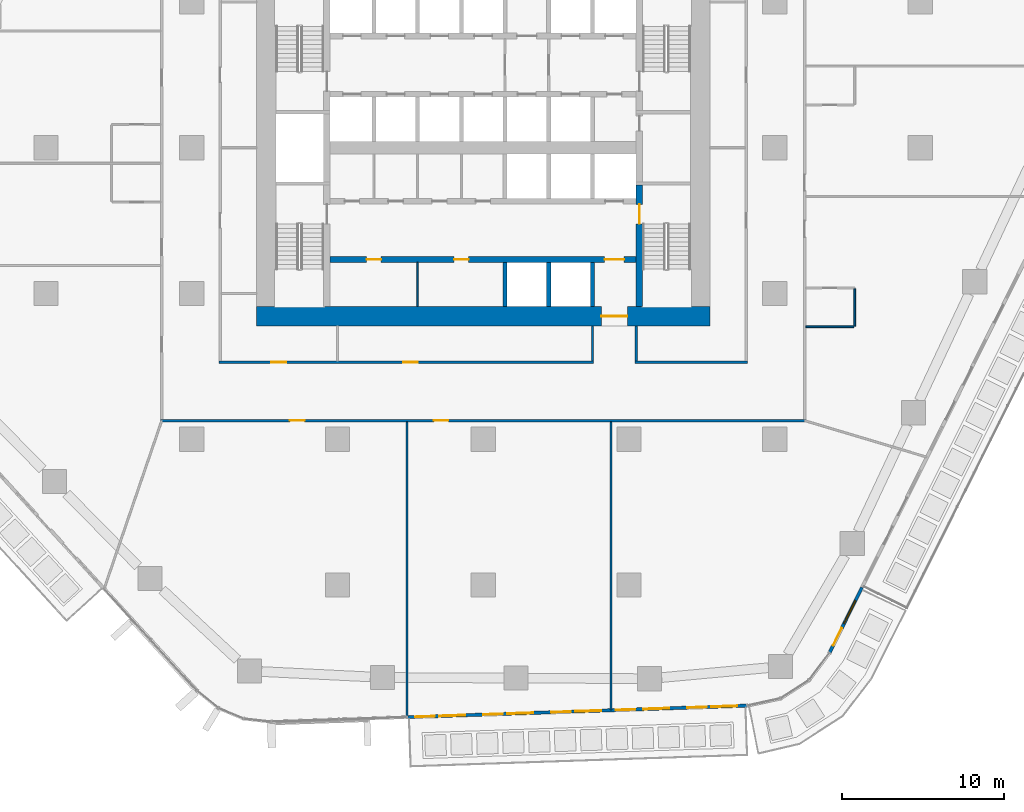
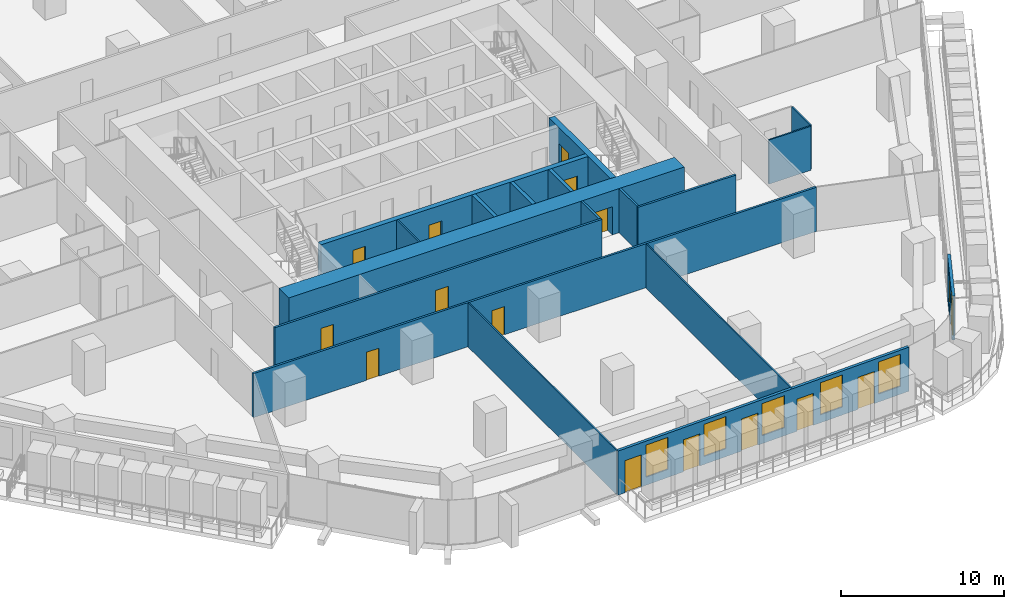
# One storey, part 13 of 26: 18 walls, 15 doors, 6 windows, 21 openings.
"""IFC4 building model written with IfcOpenShell, lengths in metres."""

from ifc_helpers import new_model, si_unit, direction, frame, frame_2d, origin, place, context, subcontext, project, spatial, rectangle, extrude, material, layer, layer_set, type_object, element, fill, save


model = new_model("IFC4")

# Units and contexts
model_context = context("Model", 3, precision=1e-05, world=origin(), true_north=direction((0.0, 1.0)))
body_context = subcontext(model_context, "Body", "Model", "MODEL_VIEW")
ifc_project = project(units=[si_unit("LENGTHUNIT", "METRE"), si_unit("AREAUNIT", "SQUARE_METRE"), si_unit("VOLUMEUNIT", "CUBIC_METRE"), si_unit("PLANEANGLEUNIT", "RADIAN"), si_unit("MASSUNIT", "GRAM", prefix="KILO")], contexts=[model_context])

# Site, building, storey
site_placement = place(None, origin())
site = spatial("IfcSite", under=ifc_project, at=site_placement, CompositionType="ELEMENT")
building_placement = place(site_placement, origin())
building = spatial("IfcBuilding", under=site, at=building_placement, Name="Dongbaek Canopy Tower", CompositionType="ELEMENT")
storey_placement = place(building_placement, frame((0.0, 0.0, 69.89990234375)))
storey = spatial("IfcBuildingStorey", under=building, at=storey_placement, Name="L13", CompositionType="ELEMENT", Elevation=69.89990234375)

# Wall, openings, doors
ifc_material_1 = material(Name="Concrete C60/75", Category="concrete")
ifc_layer_1 = layer(ifc_material_1, 0.35009765625)
ifc_layer_set_1 = layer_set([ifc_layer_1], Name="Core lobby wall 350 Concrete C60/75")
wall_type_1 = type_object("IfcWallType", Name="Core lobby wall 350 Concrete C60/75", PredefinedType="SHEAR", material=ifc_layer_set_1)
wall_1_placement = place(storey_placement, frame((9.449951171875, -6.89990234375, 0.0), z_axis=(0.0, 0.0, 1.0), x_axis=(-1.0, 0.0, 0.0)))
wall_1 = element("IfcWall", 1, at=wall_1_placement, inside=storey, type_object=wall_type_1, Name="Core wall", PredefinedType="SHEAR", context=body_context, shape_type="SweptSolid", body=[
    extrude(rectangle(XDim=18.89990234375, YDim=0.35009765625, at=frame_2d((9.449951171875, 0.0))), origin(), (0.0, 0.0, 1.0), 3.300048828125),
])
opening_1_placement = place(wall_1_placement, frame((0.75, 0.0, 0.0)))
opening_1 = element("IfcOpeningElement", 2, at=opening_1_placement, cuts=wall_1, Name="Opening L13-D045", PredefinedType="OPENING", context=body_context, shape_type="SweptSolid", body=[
    extrude(rectangle(XDim=1.199951171875, YDim=2.10009765625, at=frame_2d((0.60009765625, 1.050048828125))), frame((0.0, 0.18505859375, 0.0), z_axis=(0.0, -1.0, 0.0), x_axis=(1.0, 0.0, 0.0)), (0.0, 0.0, 1.0), 0.3701171875),
])
opening_2_placement = place(wall_1_placement, frame((15.75, 0.0, 0.0)))
opening_2 = element("IfcOpeningElement", 3, at=opening_2_placement, cuts=wall_1, Name="Opening L13-D050", PredefinedType="OPENING", context=body_context, shape_type="SweptSolid", body=[
    extrude(rectangle(XDim=0.89990234375, YDim=2.10009765625, at=frame_2d((0.449951171875, 1.050048828125))), frame((0.0, 0.18505859375, 0.0), z_axis=(0.0, -1.0, 0.0), x_axis=(1.0, 0.0, 0.0)), (0.0, 0.0, 1.0), 0.3701171875),
])
opening_3_placement = place(wall_1_placement, frame((10.35009765625, 0.0, 0.0)))
opening_3 = element("IfcOpeningElement", 4, at=opening_3_placement, cuts=wall_1, Name="Opening L13-D051", PredefinedType="OPENING", context=body_context, shape_type="SweptSolid", body=[
    extrude(rectangle(XDim=0.89990234375, YDim=2.10009765625, at=frame_2d((0.449951171875, 1.050048828125))), frame((0.0, 0.18505859375, 0.0), z_axis=(0.0, -1.0, 0.0), x_axis=(1.0, 0.0, 0.0)), (0.0, 0.0, 1.0), 0.3701171875),
])
ifc_material_2 = material(Name="Steel", Category="steel")
door_type_1 = type_object("IfcDoorType", Name="Core room door 900 x 2100", OperationType="SINGLE_SWING_LEFT", PredefinedType="DOOR", material=ifc_material_2)
door_1_placement = place(opening_2_placement, origin())
door_1 = element("IfcDoor", 5, at=door_1_placement, inside=storey, type_object=door_type_1, Name="Door L13-D050", OperationType="SINGLE_SWING_RIGHT", OverallHeight=2.10009765625, OverallWidth=0.89990234375, PredefinedType="DOOR", context=body_context, shape_type="SweptSolid", body=[
    extrude(rectangle(XDim=0.89990234375, YDim=2.10009765625, at=frame_2d((0.449951171875, 1.050048828125))), frame((0.0, 0.02490234375, 0.0), z_axis=(0.0, -1.0, 0.0), x_axis=(1.0, 0.0, 0.0)), (0.0, 0.0, 1.0), 0.050048828125),
])
fill(opening_2, door_1)
door_2_placement = place(opening_3_placement, origin())
door_2 = element("IfcDoor", 6, at=door_2_placement, inside=storey, type_object=door_type_1, Name="Door L13-D051", OperationType="SINGLE_SWING_LEFT", OverallHeight=2.10009765625, OverallWidth=0.89990234375, PredefinedType="DOOR", context=body_context, shape_type="SweptSolid", body=[
    extrude(rectangle(XDim=0.89990234375, YDim=2.10009765625, at=frame_2d((0.449951171875, 1.050048828125))), frame((0.0, 0.02490234375, 0.0), z_axis=(0.0, -1.0, 0.0), x_axis=(1.0, 0.0, 0.0)), (0.0, 0.0, 1.0), 0.050048828125),
])
fill(opening_3, door_2)
ifc_material_3 = material(Name="Steel", Category="steel")
door_type_2 = type_object("IfcDoorType", Name="Fire lobby door 1200 x 2100", OperationType="SINGLE_SWING_LEFT", PredefinedType="DOOR", material=ifc_material_3)
door_3_placement = place(opening_1_placement, origin())
door_3 = element("IfcDoor", 7, at=door_3_placement, inside=storey, type_object=door_type_2, Name="Door L13-D045", OperationType="SINGLE_SWING_LEFT", OverallHeight=2.10009765625, OverallWidth=1.199951171875, PredefinedType="DOOR", context=body_context, shape_type="SweptSolid", body=[
    extrude(rectangle(XDim=1.199951171875, YDim=2.10009765625, at=frame_2d((0.60009765625, 1.050048828125))), frame((0.0, 0.02490234375, 0.0), z_axis=(0.0, -1.0, 0.0), x_axis=(1.0, 0.0, 0.0)), (0.0, 0.0, 1.0), 0.050048828125),
])
fill(opening_1, door_3)

# Wall, opening, door
ifc_material_4 = material(Name="Concrete C60/75", Category="concrete")
ifc_layer_2 = layer(ifc_material_4, 1.199951171875)
ifc_layer_set_2 = layer_set([ifc_layer_2], Name="Core outer wall 1200 Concrete C60/75")
wall_type_2 = type_object("IfcWallType", Name="Core outer wall 1200 Concrete C60/75", PredefinedType="SHEAR", material=ifc_layer_set_2)
wall_2_placement = place(storey_placement, frame((14.0, -10.39990234375, 0.0), z_axis=(0.0, 0.0, 1.0), x_axis=(-1.0, 0.0, 0.0)))
wall_2 = element("IfcWall", 8, at=wall_2_placement, inside=storey, type_object=wall_type_2, Name="Core wall", PredefinedType="SHEAR", context=body_context, shape_type="SweptSolid", body=[
    extrude(rectangle(XDim=28.0, YDim=1.199951171875, at=frame_2d((14.0, 0.0))), origin(), (0.0, 0.0, 1.0), 3.300048828125),
])
opening_4_placement = place(wall_2_placement, frame((5.10009765625, 0.0, 0.0)))
opening_4 = element("IfcOpeningElement", 9, at=opening_4_placement, cuts=wall_2, Name="Opening L13-D044", PredefinedType="OPENING", context=body_context, shape_type="SweptSolid", body=[
    extrude(rectangle(XDim=1.60009765625, YDim=2.10009765625, at=frame_2d((0.800048828125, 1.050048828125))), frame((0.0, 0.60986328125, 0.0), z_axis=(0.0, -1.0, 0.0), x_axis=(1.0, 0.0, 0.0)), (0.0, 0.0, 1.0), 1.219970703125),
])
ifc_material_5 = material(Name="Steel", Category="steel")
door_type_3 = type_object("IfcDoorType", Name="Core exit door 1600 x 2100", OperationType="DOUBLE_DOOR_SINGLE_SWING", PredefinedType="DOOR", material=ifc_material_5)
door_4_placement = place(opening_4_placement, origin())
door_4 = element("IfcDoor", 10, at=door_4_placement, inside=storey, type_object=door_type_3, Name="Core exit door", OperationType="DOUBLE_DOOR_SINGLE_SWING", OverallHeight=2.10009765625, OverallWidth=1.60009765625, PredefinedType="DOOR", context=body_context, shape_type="SweptSolid", body=[
    extrude(rectangle(XDim=1.60009765625, YDim=2.10009765625, at=frame_2d((0.800048828125, 1.050048828125))), frame((0.0, 0.02490234375, 0.0), z_axis=(0.0, -1.0, 0.0), x_axis=(1.0, 0.0, 0.0)), (0.0, 0.0, 1.0), 0.050048828125),
])
fill(opening_4, door_4)

# Wall, openings, doors
ifc_material_6 = material(Name="Gypsum board partition, steel stud, 2 x 15 mm fire board", Category="steel")
ifc_layer_3 = layer(ifc_material_6, 0.14990234375)
ifc_layer_set_3 = layer_set([ifc_layer_3], Name="Fire-rated partition 150 gypsum board")
wall_type_3 = type_object("IfcWallType", Name="Fire-rated partition 150 gypsum board", PredefinedType="PARTITIONING", material=ifc_layer_set_3)
wall_3_placement = place(storey_placement, frame((19.925048828125, -16.85009765625, 0.0), z_axis=(0.0, 0.0, 1.0), x_axis=(-1.0, 0.0, 0.0)))
wall_3 = element("IfcWall", 11, at=wall_3_placement, inside=storey, type_object=wall_type_3, Name="Corridor partition", PredefinedType="PARTITIONING", context=body_context, shape_type="SweptSolid", body=[
    extrude(rectangle(XDim=39.85009765625, YDim=0.14990234375, at=frame_2d((19.925048828125, 0.0))), origin(), (0.0, 0.0, 1.0), 3.300048828125),
])
opening_5_placement = place(wall_3_placement, frame((30.959228515625, 0.0, 0.0)))
opening_5 = element("IfcOpeningElement", 12, at=opening_5_placement, cuts=wall_3, Name="Opening L13-D004", PredefinedType="OPENING", context=body_context, shape_type="SweptSolid", body=[
    extrude(rectangle(XDim=0.89990234375, YDim=2.10009765625, at=frame_2d((0.449951171875, 1.050048828125))), frame((0.0, 0.0849609375, 0.0), z_axis=(0.0, -1.0, 0.0), x_axis=(1.0, 0.0, 0.0)), (0.0, 0.0, 1.0), 0.169921875),
])
opening_6_placement = place(wall_3_placement, frame((22.077392578125, 0.0, 0.0)))
opening_6 = element("IfcOpeningElement", 13, at=opening_6_placement, cuts=wall_3, Name="Opening L13-D005", PredefinedType="OPENING", context=body_context, shape_type="SweptSolid", body=[
    extrude(rectangle(XDim=0.89990234375, YDim=2.10009765625, at=frame_2d((0.449951171875, 1.050048828125))), frame((0.0, 0.0849609375, 0.0), z_axis=(0.0, -1.0, 0.0), x_axis=(1.0, 0.0, 0.0)), (0.0, 0.0, 1.0), 0.169921875),
])
ifc_material_7 = material(Name="Timber veneered door leaf", Category="wood")
door_type_4 = type_object("IfcDoorType", Name="Room door 900 x 2100", OperationType="SINGLE_SWING_LEFT", PredefinedType="DOOR", material=ifc_material_7)
door_5_placement = place(opening_5_placement, origin())
door_5 = element("IfcDoor", 14, at=door_5_placement, inside=storey, type_object=door_type_4, Name="Door L13-D004", OperationType="SINGLE_SWING_RIGHT", OverallHeight=2.10009765625, OverallWidth=0.89990234375, PredefinedType="DOOR", context=body_context, shape_type="SweptSolid", body=[
    extrude(rectangle(XDim=0.89990234375, YDim=2.10009765625, at=frame_2d((0.449951171875, 1.050048828125))), frame((0.0, 0.02490234375, 0.0), z_axis=(0.0, -1.0, 0.0), x_axis=(1.0, 0.0, 0.0)), (0.0, 0.0, 1.0), 0.050048828125),
])
fill(opening_5, door_5)
door_6_placement = place(opening_6_placement, origin())
door_6 = element("IfcDoor", 15, at=door_6_placement, inside=storey, type_object=door_type_4, Name="Door L13-D005", OperationType="SINGLE_SWING_LEFT", OverallHeight=2.10009765625, OverallWidth=0.89990234375, PredefinedType="DOOR", context=body_context, shape_type="SweptSolid", body=[
    extrude(rectangle(XDim=0.89990234375, YDim=2.10009765625, at=frame_2d((0.449951171875, 1.050048828125))), frame((0.0, 0.02490234375, 0.0), z_axis=(0.0, -1.0, 0.0), x_axis=(1.0, 0.0, 0.0)), (0.0, 0.0, 1.0), 0.050048828125),
])
fill(opening_6, door_6)

wall_4_placement = place(storey_placement, frame((-16.324951171875, -13.25, 0.0), z_axis=(0.0, 0.0, 1.0), x_axis=(1.0, 0.0, 0.0)))
wall_4 = element("IfcWall", 16, at=wall_4_placement, inside=storey, type_object=wall_type_3, Name="Corridor partition", PredefinedType="PARTITIONING", context=body_context, shape_type="SweptSolid", body=[
    extrude(rectangle(XDim=23.14990234375, YDim=0.14990234375, at=frame_2d((11.574951171875, 0.0))), origin(), (0.0, 0.0, 1.0), 3.300048828125),
])
opening_7_placement = place(wall_4_placement, frame((3.25, 0.0, 0.0)))
opening_7 = element("IfcOpeningElement", 17, at=opening_7_placement, cuts=wall_4, Name="Opening L13-D019", PredefinedType="OPENING", context=body_context, shape_type="SweptSolid", body=[
    extrude(rectangle(XDim=0.89990234375, YDim=2.10009765625, at=frame_2d((0.449951171875, 1.050048828125))), frame((0.0, 0.0849609375, 0.0), z_axis=(0.0, -1.0, 0.0), x_axis=(1.0, 0.0, 0.0)), (0.0, 0.0, 1.0), 0.169921875),
])
opening_8_placement = place(wall_4_placement, frame((11.375, 0.0, 0.0)))
opening_8 = element("IfcOpeningElement", 18, at=opening_8_placement, cuts=wall_4, Name="Opening L13-D020", PredefinedType="OPENING", context=body_context, shape_type="SweptSolid", body=[
    extrude(rectangle(XDim=0.89990234375, YDim=2.10009765625, at=frame_2d((0.449951171875, 1.050048828125))), frame((0.0, 0.0849609375, 0.0), z_axis=(0.0, -1.0, 0.0), x_axis=(1.0, 0.0, 0.0)), (0.0, 0.0, 1.0), 0.169921875),
])
door_7_placement = place(opening_7_placement, origin())
door_7 = element("IfcDoor", 19, at=door_7_placement, inside=storey, type_object=door_type_4, Name="Door L13-D019", OperationType="SINGLE_SWING_LEFT", OverallHeight=2.10009765625, OverallWidth=0.89990234375, PredefinedType="DOOR", context=body_context, shape_type="SweptSolid", body=[
    extrude(rectangle(XDim=0.89990234375, YDim=2.10009765625, at=frame_2d((0.449951171875, 1.050048828125))), frame((0.0, 0.02490234375, 0.0), z_axis=(0.0, -1.0, 0.0), x_axis=(1.0, 0.0, 0.0)), (0.0, 0.0, 1.0), 0.050048828125),
])
fill(opening_7, door_7)
door_8_placement = place(opening_8_placement, origin())
door_8 = element("IfcDoor", 20, at=door_8_placement, inside=storey, type_object=door_type_4, Name="Door L13-D020", OperationType="SINGLE_SWING_RIGHT", OverallHeight=2.10009765625, OverallWidth=0.89990234375, PredefinedType="DOOR", context=body_context, shape_type="SweptSolid", body=[
    extrude(rectangle(XDim=0.89990234375, YDim=2.10009765625, at=frame_2d((0.449951171875, 1.050048828125))), frame((0.0, 0.02490234375, 0.0), z_axis=(0.0, -1.0, 0.0), x_axis=(1.0, 0.0, 0.0)), (0.0, 0.0, 1.0), 0.050048828125),
])
fill(opening_8, door_8)

# Walls
wall_5_placement = place(storey_placement, frame((9.375, -13.25, 0.0), z_axis=(0.0, 0.0, 1.0), x_axis=(1.0, 0.0, 0.0)))
element("IfcWall", 21, at=wall_5_placement, inside=storey, type_object=wall_type_3, Name="Corridor partition", PredefinedType="PARTITIONING", context=body_context, shape_type="SweptSolid", body=[
    extrude(rectangle(XDim=6.949951171875, YDim=0.14990234375, at=frame_2d((3.47509765625, 0.0))), origin(), (0.0, 0.0, 1.0), 3.300048828125),
])
for number, where, z_axis, x_axis, name in (
    (22, (9.449951171875, -13.175048828125, 0.0), (0.0, 0.0, 1.0), (0.0, 1.0, 0.0), "Corridor partition"),
    (23, (6.75, -13.175048828125, 0.0), (0.0, 0.0, 1.0), (0.0, 1.0, 0.0), "Corridor partition"),
):
    element("IfcWall", number, at=place(storey_placement, frame(where, z_axis=z_axis, x_axis=x_axis)), inside=storey, type_object=wall_type_3, Name=name, PredefinedType="PARTITIONING", context=body_context, shape_type="SweptSolid", body=[
        extrude(rectangle(XDim=2.175048828125, YDim=0.14990234375, at=frame_2d((1.08740234375, 0.0))), origin(), (0.0, 0.0, 1.0), 3.300048828125),
    ])
ifc_material_8 = material(Name="Concrete C40/50", Category="concrete")
ifc_layer_4 = layer(ifc_material_8, 0.25)
ifc_layer_set_4 = layer_set([ifc_layer_4], Name="Lift shaft wall 250 Concrete C40/50")
wall_type_4 = type_object("IfcWallType", Name="Lift shaft wall 250 Concrete C40/50", PredefinedType="SOLIDWALL", material=ifc_layer_set_4)
for number, where, z_axis, x_axis, name in (
    (24, (6.75, -9.800048828125, 0.0), (0.0, 0.0, 1.0), (0.0, 1.0, 0.0), "Lift shaft wall"),
    (25, (4.050048828125, -9.800048828125, 0.0), (0.0, 0.0, 1.0), (0.0, 1.0, 0.0), "Lift shaft wall"),
    (26, (1.35009765625, -9.800048828125, 0.0), (0.0, 0.0, 1.0), (0.0, 1.0, 0.0), "Lift shaft wall"),
):
    element("IfcWall", number, at=place(storey_placement, frame(where, z_axis=z_axis, x_axis=x_axis)), inside=storey, type_object=wall_type_4, Name=name, PredefinedType="SOLIDWALL", context=body_context, shape_type="SweptSolid", body=[
        extrude(rectangle(XDim=2.72509765625, YDim=0.25, at=frame_2d((1.362548828125, 0.0))), origin(), (0.0, 0.0, 1.0), 3.300048828125),
    ])
ifc_material_9 = material(Name="Gypsum board partition, steel stud, 2 x 12.5 mm board", Category="steel")
ifc_layer_5 = layer(ifc_material_9, 0.10009765625)
ifc_layer_set_5 = layer_set([ifc_layer_5], Name="Partition 100 gypsum board")
wall_type_5 = type_object("IfcWallType", Name="Partition 100 gypsum board", PredefinedType="PARTITIONING", material=ifc_layer_set_5)
wall_6_placement = place(storey_placement, frame((19.925048828125, -11.05810546875, 0.0), z_axis=(0.0, 0.0, 1.0), x_axis=(1.0, 0.0, 0.0)))
element("IfcWall", 27, at=wall_6_placement, inside=storey, type_object=wall_type_5, Name="Partition", PredefinedType="PARTITIONING", context=body_context, shape_type="SweptSolid", body=[
    extrude(rectangle(XDim=2.974853515625, YDim=0.10009765625, at=frame_2d((1.4873046875, 0.0))), origin(), (0.0, 0.0, 1.0), 3.300048828125),
])
wall_7_placement = place(storey_placement, frame((22.949951171875, -11.008544921875, 0.0), z_axis=(0.0, 0.0, 1.0), x_axis=(0.0, 1.0, 0.0)))
element("IfcWall", 28, at=wall_7_placement, inside=storey, type_object=wall_type_5, Name="Partition", PredefinedType="PARTITIONING", context=body_context, shape_type="SweptSolid", body=[
    extrude(rectangle(XDim=2.300048828125, YDim=0.10009765625, at=frame_2d((1.14990234375, 0.0))), origin(), (0.0, 0.0, 1.0), 3.300048828125),
])
wall_8_placement = place(storey_placement, frame((7.89697265625, -34.719970703125, 0.0), z_axis=(0.0, 0.0, 1.0), x_axis=(0.0, 1.0, 0.0)))
element("IfcWall", 29, at=wall_8_placement, inside=storey, type_object=wall_type_5, Name="Partition", PredefinedType="PARTITIONING", context=body_context, shape_type="SweptSolid", body=[
    extrude(rectangle(XDim=17.794921875, YDim=0.10009765625, at=frame_2d((8.8974609375, 0.0))), origin(), (0.0, 0.0, 1.0), 3.300048828125),
])
wall_9_placement = place(storey_placement, frame((-4.701904296875, -35.147705078125, 0.0), z_axis=(0.0, 0.0, 1.0), x_axis=(0.0, 1.0, 0.0)))
element("IfcWall", 30, at=wall_9_placement, inside=storey, type_object=wall_type_5, Name="Partition", PredefinedType="PARTITIONING", context=body_context, shape_type="SweptSolid", body=[
    extrude(rectangle(XDim=18.22265625, YDim=0.10009765625, at=frame_2d((9.111328125, 0.0))), origin(), (0.0, 0.0, 1.0), 3.300048828125),
])
wall_10_placement = place(storey_placement, frame((-4.050048828125, -9.800048828125, 0.0), z_axis=(0.0, 0.0, 1.0), x_axis=(0.0, 1.0, 0.0)))
element("IfcWall", 31, at=wall_10_placement, inside=storey, type_object=wall_type_5, Name="Core partition", PredefinedType="PARTITIONING", context=body_context, shape_type="SweptSolid", body=[
    extrude(rectangle(XDim=2.72509765625, YDim=0.10009765625, at=frame_2d((1.362548828125, 0.0))), origin(), (0.0, 0.0, 1.0), 3.300048828125),
])

# Wall, opening, door
ifc_material_10 = material(Name="Concrete C60/75", Category="concrete")
ifc_layer_6 = layer(ifc_material_10, 0.39990234375)
ifc_layer_set_6 = layer_set([ifc_layer_6], Name="Stair wall 400 Concrete C60/75")
wall_type_6 = type_object("IfcWallType", Name="Stair wall 400 Concrete C60/75", PredefinedType="SHEAR", material=ifc_layer_set_6)
wall_11_placement = place(storey_placement, frame((9.64990234375, -2.300048828125, 0.0), z_axis=(0.0, 0.0, 1.0), x_axis=(0.0, -1.0, 0.0)))
wall_11 = element("IfcWall", 32, at=wall_11_placement, inside=storey, type_object=wall_type_6, Name="Stair wall", PredefinedType="SHEAR", context=body_context, shape_type="SweptSolid", body=[
    extrude(rectangle(XDim=7.5, YDim=0.39990234375, at=frame_2d((3.75, 0.0))), origin(), (0.0, 0.0, 1.0), 3.300048828125),
])
opening_9_placement = place(wall_11_placement, frame((1.199951171875, 0.0, 0.0)))
opening_9 = element("IfcOpeningElement", 33, at=opening_9_placement, cuts=wall_11, Name="Opening L13-D054", PredefinedType="OPENING", context=body_context, shape_type="SweptSolid", body=[
    extrude(rectangle(XDim=1.199951171875, YDim=2.10009765625, at=frame_2d((0.60009765625, 1.050048828125))), frame((0.0, 0.2099609375, 0.0), z_axis=(0.0, -1.0, 0.0), x_axis=(1.0, 0.0, 0.0)), (0.0, 0.0, 1.0), 0.419921875),
])
ifc_material_11 = material(Name="Steel", Category="steel")
door_type_5 = type_object("IfcDoorType", Name="Stair door 1200 x 2100", OperationType="SINGLE_SWING_LEFT", PredefinedType="DOOR", material=ifc_material_11)
door_9_placement = place(opening_9_placement, origin())
door_9 = element("IfcDoor", 34, at=door_9_placement, inside=storey, type_object=door_type_5, Name="Stair B door", OperationType="SINGLE_SWING_RIGHT", OverallHeight=2.10009765625, OverallWidth=1.199951171875, PredefinedType="DOOR", context=body_context, shape_type="SweptSolid", body=[
    extrude(rectangle(XDim=1.199951171875, YDim=2.10009765625, at=frame_2d((0.60009765625, 1.050048828125))), frame((0.0, 0.02490234375, 0.0), z_axis=(0.0, -1.0, 0.0), x_axis=(1.0, 0.0, 0.0)), (0.0, 0.0, 1.0), 0.050048828125),
])
fill(opening_9, door_9)

# Wall, openings, doors, windows
ifc_material_12 = material(Name="Aluminium window wall", Category="aluminium")
ifc_layer_7 = layer(ifc_material_12, 0.199951171875)
ifc_layer_set_7 = layer_set([ifc_layer_7], Name="Window wall 200")
wall_type_7 = type_object("IfcWallType", Name="Window wall 200", PredefinedType="SOLIDWALL", material=ifc_layer_set_7)
wall_12_placement = place(storey_placement, frame((-4.702392578125, -35.167724609375, 0.0), z_axis=(0.0, 0.0, 1.0), x_axis=(0.999424265527, 0.033928416948, 0.0)))
wall_12 = element("IfcWall", 35, at=wall_12_placement, inside=storey, type_object=wall_type_7, Name="Window wall L13 4", PredefinedType="SOLIDWALL", context=body_context, shape_type="SweptSolid", body=[
    extrude(rectangle(XDim=21.01171875, YDim=0.199951171875, at=frame_2d((10.505859375, 0.0))), origin(), (0.0, 0.0, 1.0), 3.300048828125),
])
opening_10_placement = place(wall_12_placement, frame((2.0, 0.0, 0.60009765625)))
opening_10 = element("IfcOpeningElement", 36, at=opening_10_placement, cuts=wall_12, Name="Opening W1", PredefinedType="OPENING", context=body_context, shape_type="SweptSolid", body=[
    extrude(rectangle(XDim=1.60009765625, YDim=2.39990234375, at=frame_2d((0.800048828125, 1.199951171875))), frame((0.0, 0.10986328125, 0.0), z_axis=(0.0, -1.0, 0.0), x_axis=(1.0, 0.0, 0.0)), (0.0, 0.0, 1.0), 0.219970703125),
])
opening_11_placement = place(wall_12_placement, frame((0.5, 0.0, 0.0)))
opening_11 = element("IfcOpeningElement", 37, at=opening_11_placement, cuts=wall_12, Name="Opening L13-B16", PredefinedType="OPENING", context=body_context, shape_type="SweptSolid", body=[
    extrude(rectangle(XDim=1.199951171875, YDim=2.39990234375, at=frame_2d((0.60009765625, 1.199951171875))), frame((0.0, 0.10986328125, 0.0), z_axis=(0.0, -1.0, 0.0), x_axis=(1.0, 0.0, 0.0)), (0.0, 0.0, 1.0), 0.219970703125),
])
opening_12_placement = place(wall_12_placement, frame((6.202392578125, 0.0, 0.60009765625)))
opening_12 = element("IfcOpeningElement", 38, at=opening_12_placement, cuts=wall_12, Name="Opening W1", PredefinedType="OPENING", context=body_context, shape_type="SweptSolid", body=[
    extrude(rectangle(XDim=1.60009765625, YDim=2.39990234375, at=frame_2d((0.800048828125, 1.199951171875))), frame((0.0, 0.10986328125, 0.0), z_axis=(0.0, -1.0, 0.0), x_axis=(1.0, 0.0, 0.0)), (0.0, 0.0, 1.0), 0.219970703125),
])
opening_13_placement = place(wall_12_placement, frame((4.702392578125, 0.0, 0.0)))
opening_13 = element("IfcOpeningElement", 39, at=opening_13_placement, cuts=wall_12, Name="Opening L13-B17", PredefinedType="OPENING", context=body_context, shape_type="SweptSolid", body=[
    extrude(rectangle(XDim=1.199951171875, YDim=2.39990234375, at=frame_2d((0.60009765625, 1.199951171875))), frame((0.0, 0.10986328125, 0.0), z_axis=(0.0, -1.0, 0.0), x_axis=(1.0, 0.0, 0.0)), (0.0, 0.0, 1.0), 0.219970703125),
])
opening_14_placement = place(wall_12_placement, frame((10.404541015625, 0.0, 0.60009765625)))
opening_14 = element("IfcOpeningElement", 40, at=opening_14_placement, cuts=wall_12, Name="Opening W1", PredefinedType="OPENING", context=body_context, shape_type="SweptSolid", body=[
    extrude(rectangle(XDim=1.60009765625, YDim=2.39990234375, at=frame_2d((0.800048828125, 1.199951171875))), frame((0.0, 0.10986328125, 0.0), z_axis=(0.0, -1.0, 0.0), x_axis=(1.0, 0.0, 0.0)), (0.0, 0.0, 1.0), 0.219970703125),
])
opening_15_placement = place(wall_12_placement, frame((8.904541015625, 0.0, 0.0)))
opening_15 = element("IfcOpeningElement", 41, at=opening_15_placement, cuts=wall_12, Name="Opening L13-B18", PredefinedType="OPENING", context=body_context, shape_type="SweptSolid", body=[
    extrude(rectangle(XDim=1.199951171875, YDim=2.39990234375, at=frame_2d((0.60009765625, 1.199951171875))), frame((0.0, 0.10986328125, 0.0), z_axis=(0.0, -1.0, 0.0), x_axis=(1.0, 0.0, 0.0)), (0.0, 0.0, 1.0), 0.219970703125),
])
opening_16_placement = place(wall_12_placement, frame((14.60693359375, 0.0, 0.60009765625)))
opening_16 = element("IfcOpeningElement", 42, at=opening_16_placement, cuts=wall_12, Name="Opening W1", PredefinedType="OPENING", context=body_context, shape_type="SweptSolid", body=[
    extrude(rectangle(XDim=1.60009765625, YDim=2.39990234375, at=frame_2d((0.800048828125, 1.199951171875))), frame((0.0, 0.10986328125, 0.0), z_axis=(0.0, -1.0, 0.0), x_axis=(1.0, 0.0, 0.0)), (0.0, 0.0, 1.0), 0.219970703125),
])
opening_17_placement = place(wall_12_placement, frame((12.906982421875, 0.0, 0.0)))
opening_17 = element("IfcOpeningElement", 43, at=opening_17_placement, cuts=wall_12, Name="Opening L13-B19", PredefinedType="OPENING", context=body_context, shape_type="SweptSolid", body=[
    extrude(rectangle(XDim=1.199951171875, YDim=2.39990234375, at=frame_2d((0.60009765625, 1.199951171875))), frame((0.0, 0.10986328125, 0.0), z_axis=(0.0, -1.0, 0.0), x_axis=(1.0, 0.0, 0.0)), (0.0, 0.0, 1.0), 0.219970703125),
])
opening_18_placement = place(wall_12_placement, frame((18.809326171875, 0.0, 0.60009765625)))
opening_18 = element("IfcOpeningElement", 44, at=opening_18_placement, cuts=wall_12, Name="Opening W1", PredefinedType="OPENING", context=body_context, shape_type="SweptSolid", body=[
    extrude(rectangle(XDim=1.60009765625, YDim=2.39990234375, at=frame_2d((0.800048828125, 1.199951171875))), frame((0.0, 0.10986328125, 0.0), z_axis=(0.0, -1.0, 0.0), x_axis=(1.0, 0.0, 0.0)), (0.0, 0.0, 1.0), 0.219970703125),
])
opening_19_placement = place(wall_12_placement, frame((17.309326171875, 0.0, 0.0)))
opening_19 = element("IfcOpeningElement", 45, at=opening_19_placement, cuts=wall_12, Name="Opening L13-B20", PredefinedType="OPENING", context=body_context, shape_type="SweptSolid", body=[
    extrude(rectangle(XDim=1.199951171875, YDim=2.39990234375, at=frame_2d((0.60009765625, 1.199951171875))), frame((0.0, 0.10986328125, 0.0), z_axis=(0.0, -1.0, 0.0), x_axis=(1.0, 0.0, 0.0)), (0.0, 0.0, 1.0), 0.219970703125),
])
ifc_material_13 = material(Name="Clear glazing in aluminium frame", Category="aluminium")
door_type_6 = type_object("IfcDoorType", Name="Balcony door BD1 1200 x 2400", OperationType="SLIDING_TO_LEFT", PredefinedType="DOOR", material=ifc_material_13)
door_10_placement = place(opening_11_placement, origin())
door_10 = element("IfcDoor", 46, at=door_10_placement, inside=storey, type_object=door_type_6, Name="Balcony door L13-B16", OperationType="SLIDING_TO_LEFT", OverallHeight=2.39990234375, OverallWidth=1.199951171875, PredefinedType="DOOR", context=body_context, shape_type="SweptSolid", body=[
    extrude(rectangle(XDim=1.199951171875, YDim=2.39990234375, at=frame_2d((0.60009765625, 1.199951171875))), frame((0.0, 0.02490234375, 0.0), z_axis=(0.0, -1.0, 0.0), x_axis=(1.0, 0.0, 0.0)), (0.0, 0.0, 1.0), 0.050048828125),
])
fill(opening_11, door_10)
door_11_placement = place(opening_13_placement, origin())
door_11 = element("IfcDoor", 47, at=door_11_placement, inside=storey, type_object=door_type_6, Name="Balcony door L13-B17", OperationType="SLIDING_TO_LEFT", OverallHeight=2.39990234375, OverallWidth=1.199951171875, PredefinedType="DOOR", context=body_context, shape_type="SweptSolid", body=[
    extrude(rectangle(XDim=1.199951171875, YDim=2.39990234375, at=frame_2d((0.60009765625, 1.199951171875))), frame((0.0, 0.02490234375, 0.0), z_axis=(0.0, -1.0, 0.0), x_axis=(1.0, 0.0, 0.0)), (0.0, 0.0, 1.0), 0.050048828125),
])
fill(opening_13, door_11)
door_12_placement = place(opening_15_placement, origin())
door_12 = element("IfcDoor", 48, at=door_12_placement, inside=storey, type_object=door_type_6, Name="Balcony door L13-B18", OperationType="SLIDING_TO_LEFT", OverallHeight=2.39990234375, OverallWidth=1.199951171875, PredefinedType="DOOR", context=body_context, shape_type="SweptSolid", body=[
    extrude(rectangle(XDim=1.199951171875, YDim=2.39990234375, at=frame_2d((0.60009765625, 1.199951171875))), frame((0.0, 0.02490234375, 0.0), z_axis=(0.0, -1.0, 0.0), x_axis=(1.0, 0.0, 0.0)), (0.0, 0.0, 1.0), 0.050048828125),
])
fill(opening_15, door_12)
door_13_placement = place(opening_17_placement, origin())
door_13 = element("IfcDoor", 49, at=door_13_placement, inside=storey, type_object=door_type_6, Name="Balcony door L13-B19", OperationType="SLIDING_TO_LEFT", OverallHeight=2.39990234375, OverallWidth=1.199951171875, PredefinedType="DOOR", context=body_context, shape_type="SweptSolid", body=[
    extrude(rectangle(XDim=1.199951171875, YDim=2.39990234375, at=frame_2d((0.60009765625, 1.199951171875))), frame((0.0, 0.02490234375, 0.0), z_axis=(0.0, -1.0, 0.0), x_axis=(1.0, 0.0, 0.0)), (0.0, 0.0, 1.0), 0.050048828125),
])
fill(opening_17, door_13)
door_14_placement = place(opening_19_placement, origin())
door_14 = element("IfcDoor", 50, at=door_14_placement, inside=storey, type_object=door_type_6, Name="Balcony door L13-B20", OperationType="SLIDING_TO_LEFT", OverallHeight=2.39990234375, OverallWidth=1.199951171875, PredefinedType="DOOR", context=body_context, shape_type="SweptSolid", body=[
    extrude(rectangle(XDim=1.199951171875, YDim=2.39990234375, at=frame_2d((0.60009765625, 1.199951171875))), frame((0.0, 0.02490234375, 0.0), z_axis=(0.0, -1.0, 0.0), x_axis=(1.0, 0.0, 0.0)), (0.0, 0.0, 1.0), 0.050048828125),
])
fill(opening_19, door_14)
ifc_material_14 = material(Name="Clear glazing in aluminium frame", Category="aluminium")
window_type = type_object("IfcWindowType", Name="Window W1 1600 x 2400", PartitioningType="SINGLE_PANEL", PredefinedType="WINDOW", material=ifc_material_14)
window_1_placement = place(opening_10_placement, origin())
window_1 = element("IfcWindow", 51, at=window_1_placement, inside=storey, type_object=window_type, Name="Window L13 4.1", OverallHeight=2.39990234375, OverallWidth=1.60009765625, PartitioningType="SINGLE_PANEL", PredefinedType="WINDOW", context=body_context, shape_type="SweptSolid", body=[
    extrude(rectangle(XDim=1.60009765625, YDim=2.39990234375, at=frame_2d((0.800048828125, 1.199951171875))), frame((0.0, 0.030029296875, 0.0), z_axis=(0.0, -1.0, 0.0), x_axis=(1.0, 0.0, 0.0)), (0.0, 0.0, 1.0), 0.06005859375),
])
fill(opening_10, window_1)
window_2_placement = place(opening_12_placement, origin())
window_2 = element("IfcWindow", 52, at=window_2_placement, inside=storey, type_object=window_type, Name="Window L13 4.2", OverallHeight=2.39990234375, OverallWidth=1.60009765625, PartitioningType="SINGLE_PANEL", PredefinedType="WINDOW", context=body_context, shape_type="SweptSolid", body=[
    extrude(rectangle(XDim=1.60009765625, YDim=2.39990234375, at=frame_2d((0.800048828125, 1.199951171875))), frame((0.0, 0.030029296875, 0.0), z_axis=(0.0, -1.0, 0.0), x_axis=(1.0, 0.0, 0.0)), (0.0, 0.0, 1.0), 0.06005859375),
])
fill(opening_12, window_2)
window_3_placement = place(opening_14_placement, origin())
window_3 = element("IfcWindow", 53, at=window_3_placement, inside=storey, type_object=window_type, Name="Window L13 4.3", OverallHeight=2.39990234375, OverallWidth=1.60009765625, PartitioningType="SINGLE_PANEL", PredefinedType="WINDOW", context=body_context, shape_type="SweptSolid", body=[
    extrude(rectangle(XDim=1.60009765625, YDim=2.39990234375, at=frame_2d((0.800048828125, 1.199951171875))), frame((0.0, 0.030029296875, 0.0), z_axis=(0.0, -1.0, 0.0), x_axis=(1.0, 0.0, 0.0)), (0.0, 0.0, 1.0), 0.06005859375),
])
fill(opening_14, window_3)
window_4_placement = place(opening_16_placement, origin())
window_4 = element("IfcWindow", 54, at=window_4_placement, inside=storey, type_object=window_type, Name="Window L13 4.4", OverallHeight=2.39990234375, OverallWidth=1.60009765625, PartitioningType="SINGLE_PANEL", PredefinedType="WINDOW", context=body_context, shape_type="SweptSolid", body=[
    extrude(rectangle(XDim=1.60009765625, YDim=2.39990234375, at=frame_2d((0.800048828125, 1.199951171875))), frame((0.0, 0.030029296875, 0.0), z_axis=(0.0, -1.0, 0.0), x_axis=(1.0, 0.0, 0.0)), (0.0, 0.0, 1.0), 0.06005859375),
])
fill(opening_16, window_4)
window_5_placement = place(opening_18_placement, origin())
window_5 = element("IfcWindow", 55, at=window_5_placement, inside=storey, type_object=window_type, Name="Window L13 4.5", OverallHeight=2.39990234375, OverallWidth=1.60009765625, PartitioningType="SINGLE_PANEL", PredefinedType="WINDOW", context=body_context, shape_type="SweptSolid", body=[
    extrude(rectangle(XDim=1.60009765625, YDim=2.39990234375, at=frame_2d((0.800048828125, 1.199951171875))), frame((0.0, 0.030029296875, 0.0), z_axis=(0.0, -1.0, 0.0), x_axis=(1.0, 0.0, 0.0)), (0.0, 0.0, 1.0), 0.06005859375),
])
fill(opening_18, window_5)

# Wall, openings, door, window
wall_13_placement = place(storey_placement, frame((21.389404296875, -31.18359375, 0.0), z_axis=(0.0, 0.0, 1.0), x_axis=(0.446430594138, 0.894818263458, 0.0)))
wall_13 = element("IfcWall", 56, at=wall_13_placement, inside=storey, type_object=wall_type_7, Name="Window wall L13 8", PredefinedType="SOLIDWALL", context=body_context, shape_type="SweptSolid", body=[
    extrude(rectangle(XDim=4.490966796875, YDim=0.199951171875, at=frame_2d((2.24560546875, 0.0))), origin(), (0.0, 0.0, 1.0), 3.300048828125),
])
opening_20_placement = place(wall_13_placement, frame((2.0, 0.0, 0.60009765625)))
opening_20 = element("IfcOpeningElement", 57, at=opening_20_placement, cuts=wall_13, Name="Opening W1", PredefinedType="OPENING", context=body_context, shape_type="SweptSolid", body=[
    extrude(rectangle(XDim=1.60009765625, YDim=2.39990234375, at=frame_2d((0.800048828125, 1.199951171875))), frame((0.0, 0.10986328125, 0.0), z_axis=(0.0, -1.0, 0.0), x_axis=(1.0, 0.0, 0.0)), (0.0, 0.0, 1.0), 0.219970703125),
])
opening_21_placement = place(wall_13_placement, frame((0.5, 0.0, 0.0)))
opening_21 = element("IfcOpeningElement", 58, at=opening_21_placement, cuts=wall_13, Name="Opening L13-B27", PredefinedType="OPENING", context=body_context, shape_type="SweptSolid", body=[
    extrude(rectangle(XDim=1.199951171875, YDim=2.39990234375, at=frame_2d((0.60009765625, 1.199951171875))), frame((0.0, 0.10986328125, 0.0), z_axis=(0.0, -1.0, 0.0), x_axis=(1.0, 0.0, 0.0)), (0.0, 0.0, 1.0), 0.219970703125),
])
door_15_placement = place(opening_21_placement, origin())
door_15 = element("IfcDoor", 59, at=door_15_placement, inside=storey, type_object=door_type_6, Name="Balcony door L13-B27", OperationType="SLIDING_TO_LEFT", OverallHeight=2.39990234375, OverallWidth=1.199951171875, PredefinedType="DOOR", context=body_context, shape_type="SweptSolid", body=[
    extrude(rectangle(XDim=1.199951171875, YDim=2.39990234375, at=frame_2d((0.60009765625, 1.199951171875))), frame((0.0, 0.02490234375, 0.0), z_axis=(0.0, -1.0, 0.0), x_axis=(1.0, 0.0, 0.0)), (0.0, 0.0, 1.0), 0.050048828125),
])
fill(opening_21, door_15)
window_6_placement = place(opening_20_placement, origin())
window_6 = element("IfcWindow", 60, at=window_6_placement, inside=storey, type_object=window_type, Name="Window L13 8.1", OverallHeight=2.39990234375, OverallWidth=1.60009765625, PartitioningType="SINGLE_PANEL", PredefinedType="WINDOW", context=body_context, shape_type="SweptSolid", body=[
    extrude(rectangle(XDim=1.60009765625, YDim=2.39990234375, at=frame_2d((0.800048828125, 1.199951171875))), frame((0.0, 0.030029296875, 0.0), z_axis=(0.0, -1.0, 0.0), x_axis=(1.0, 0.0, 0.0)), (0.0, 0.0, 1.0), 0.06005859375),
])
fill(opening_20, window_6)

save(model, "model.ifc")
